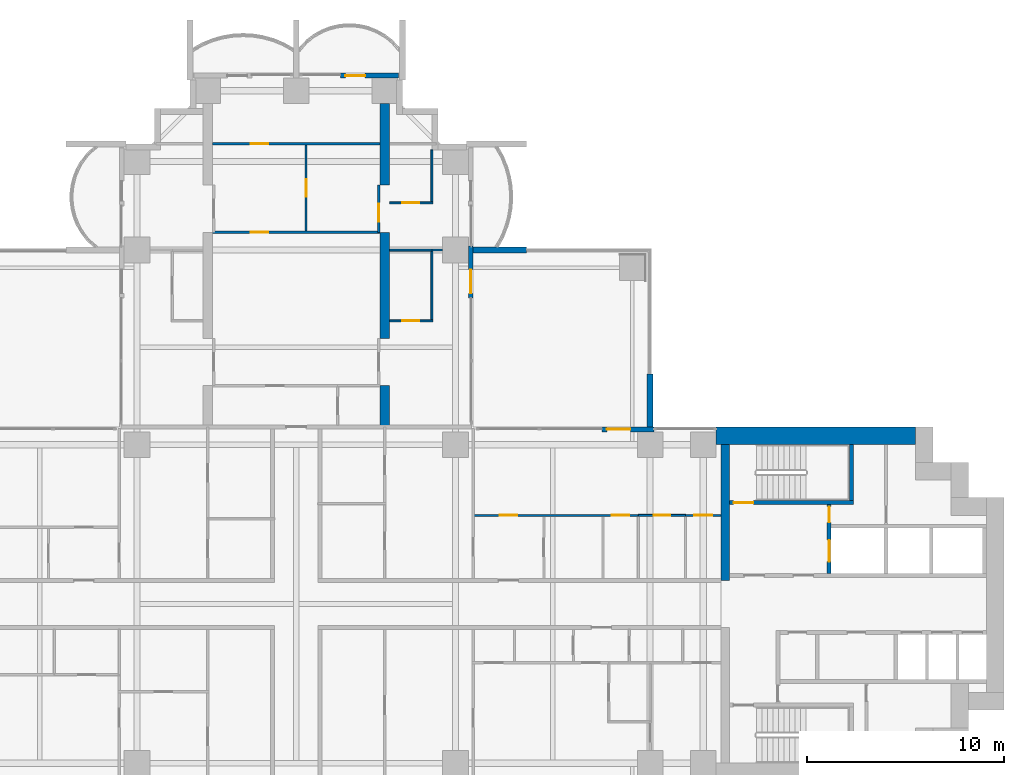
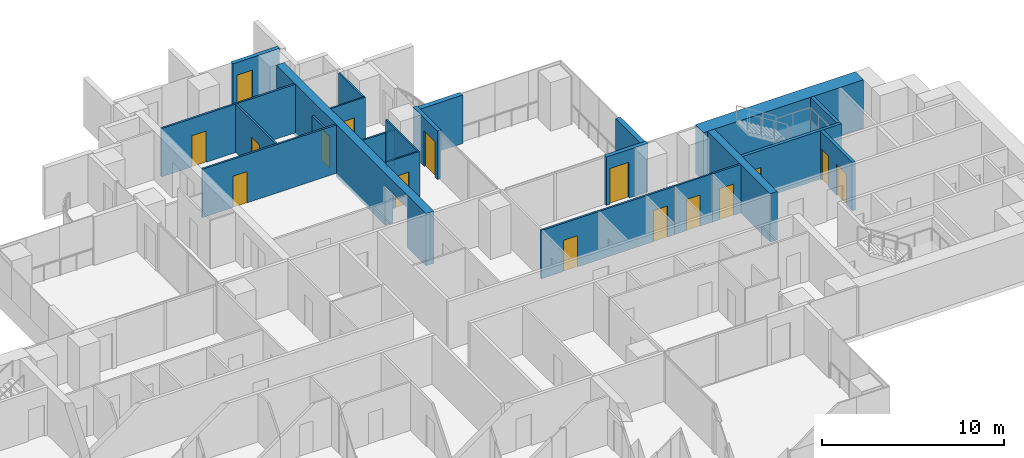
# One storey, part 15 of 21: 24 walls, 16 doors, 16 openings.
"""IFC4 building model written with IfcOpenShell, lengths in metres."""

from ifc_helpers import new_model, si_unit, direction, frame, frame_2d, origin, place, context, subcontext, project, spatial, polyline, rectangle, outline, extrude, material, layer, layer_set, material_profile, profile_set, type_object, element, fill, save


model = new_model("IFC4")

# Units and contexts
model_context = context("Model", 3, precision=1e-05, world=origin(), true_north=direction((0.0, 1.0)))
body_context = subcontext(model_context, "Body", "Model", "MODEL_VIEW")
ifc_project = project(units=[si_unit("LENGTHUNIT", "METRE"), si_unit("AREAUNIT", "SQUARE_METRE"), si_unit("VOLUMEUNIT", "CUBIC_METRE"), si_unit("PLANEANGLEUNIT", "RADIAN"), si_unit("MASSUNIT", "GRAM", prefix="KILO")], contexts=[model_context])

# Site, building, storey
site_placement = place(None, origin())
site = spatial("IfcSite", under=ifc_project, at=site_placement, CompositionType="ELEMENT")
building_placement = place(site_placement, origin())
building = spatial("IfcBuilding", under=site, at=building_placement, Name="Perihelion Cross Residences", CompositionType="ELEMENT")
storey_placement = place(building_placement, frame((0.0, 0.0, 64.5)))
storey = spatial("IfcBuildingStorey", under=building, at=storey_placement, Name="L13", CompositionType="ELEMENT", Elevation=64.5)

# Wall, opening, door
ifc_material_1 = material(Name="Concrete C30/37, bronze-clad", Category="concrete")
ifc_layer_1 = layer(ifc_material_1, 0.25)
ifc_layer_set_1 = layer_set([ifc_layer_1], Name="Bronze-clad pier wall 250")
wall_type_1 = type_object("IfcWallType", Name="Bronze-clad pier wall 250", PredefinedType="SOLIDWALL", material=ifc_layer_set_1)
wall_1_placement = place(storey_placement, frame((18.199951171875, 8.875, 0.0), z_axis=(0.0, 0.0, 1.0), x_axis=(-1.0, 0.0, 0.0)))
wall_1 = element("IfcWall", 1, at=wall_1_placement, inside=storey, type_object=wall_type_1, Name="Wall FW1 L13 east side north bay 2 pier", PredefinedType="SOLIDWALL", context=body_context, shape_type="SweptSolid", body=[
    extrude(rectangle(XDim=2.64990234375, YDim=0.25, at=frame_2d((1.324951171875, 0.0))), origin(), (0.0, 0.0, 1.0), 3.25),
])
opening_1_placement = place(wall_1_placement, frame((1.199951171875, 0.0, 0.0)))
opening_1 = element("IfcOpeningElement", 2, at=opening_1_placement, cuts=wall_1, Name="Opening L13.E01", PredefinedType="OPENING", context=body_context, shape_type="SweptSolid", body=[
    extrude(rectangle(XDim=1.199951171875, YDim=2.39990234375, at=frame_2d((0.60009765625, 1.199951171875))), frame((0.0, 0.135009765625, 0.0), z_axis=(0.0, -1.0, 0.0), x_axis=(1.0, 0.0, 0.0)), (0.0, 0.0, 1.0), 0.27001953125),
])
ifc_material_2 = material(Name="Bronze anodised aluminium, glazed", Category="aluminium")
door_type_1 = type_object("IfcDoorType", Name="Balcony door 1200 x 2400", OperationType="NOTDEFINED", PredefinedType="DOOR", material=ifc_material_2)
door_1_placement = place(opening_1_placement, origin())
door_1 = element("IfcDoor", 3, at=door_1_placement, inside=storey, type_object=door_type_1, Name="Door L13.E01 east side north bay 2", OperationType="SINGLE_SWING_RIGHT", OverallHeight=2.39990234375, OverallWidth=1.199951171875, PredefinedType="DOOR", context=body_context, shape_type="SweptSolid", body=[
    extrude(rectangle(XDim=1.199951171875, YDim=2.39990234375, at=frame_2d((0.60009765625, 1.199951171875))), frame((0.0, 0.02490234375, 0.0), z_axis=(0.0, -1.0, 0.0), x_axis=(1.0, 0.0, 0.0)), (0.0, 0.0, 1.0), 0.050048828125),
])
fill(opening_1, door_1)

wall_2_placement = place(storey_placement, frame((8.875, 15.550048828125, 0.0), z_axis=(0.0, 0.0, 1.0), x_axis=(0.0, 1.0, 0.0)))
wall_2 = element("IfcWall", 4, at=wall_2_placement, inside=storey, type_object=wall_type_1, Name="Wall FW1 L13 north side east bay 1 pier", PredefinedType="SOLIDWALL", context=body_context, shape_type="SweptSolid", body=[
    extrude(rectangle(XDim=2.64990234375, YDim=0.25, at=frame_2d((1.324951171875, 0.0))), origin(), (0.0, 0.0, 1.0), 3.25),
])
opening_2_placement = place(wall_2_placement, frame((0.25, 0.0, 0.0)))
opening_2 = element("IfcOpeningElement", 5, at=opening_2_placement, cuts=wall_2, Name="Opening L13.E02", PredefinedType="OPENING", context=body_context, shape_type="SweptSolid", body=[
    extrude(rectangle(XDim=1.199951171875, YDim=2.39990234375, at=frame_2d((0.60009765625, 1.199951171875))), frame((0.0, 0.135009765625, 0.0), z_axis=(0.0, -1.0, 0.0), x_axis=(1.0, 0.0, 0.0)), (0.0, 0.0, 1.0), 0.27001953125),
])
door_2_placement = place(opening_2_placement, origin())
door_2 = element("IfcDoor", 6, at=door_2_placement, inside=storey, type_object=door_type_1, Name="Door L13.E02 north side east bay 1", OperationType="SINGLE_SWING_LEFT", OverallHeight=2.39990234375, OverallWidth=1.199951171875, PredefinedType="DOOR", context=body_context, shape_type="SweptSolid", body=[
    extrude(rectangle(XDim=1.199951171875, YDim=2.39990234375, at=frame_2d((0.60009765625, 1.199951171875))), frame((0.0, 0.02490234375, 0.0), z_axis=(0.0, -1.0, 0.0), x_axis=(1.0, 0.0, 0.0)), (0.0, 0.0, 1.0), 0.050048828125),
])
fill(opening_2, door_2)

wall_3_placement = place(storey_placement, frame((5.199951171875, 26.875, 0.0), z_axis=(0.0, 0.0, 1.0), x_axis=(-1.0, 0.0, 0.0)))
wall_3 = element("IfcWall", 7, at=wall_3_placement, inside=storey, type_object=wall_type_1, Name="Wall FW1 L13 north tip north bay 1 pier", PredefinedType="SOLIDWALL", context=body_context, shape_type="SweptSolid", body=[
    extrude(rectangle(XDim=2.949951171875, YDim=0.25, at=frame_2d((1.47509765625, 0.0))), origin(), (0.0, 0.0, 1.0), 3.25),
])
opening_3_placement = place(wall_3_placement, frame((1.699951171875, 0.0, 0.0)))
opening_3 = element("IfcOpeningElement", 8, at=opening_3_placement, cuts=wall_3, Name="Opening L13.E04", PredefinedType="OPENING", context=body_context, shape_type="SweptSolid", body=[
    extrude(rectangle(XDim=1.0, YDim=2.39990234375, at=frame_2d((0.5, 1.199951171875))), frame((0.0, 0.135009765625, 0.0), z_axis=(0.0, -1.0, 0.0), x_axis=(1.0, 0.0, 0.0)), (0.0, 0.0, 1.0), 0.27001953125),
])
ifc_material_3 = material(Name="Bronze anodised aluminium, glazed", Category="aluminium")
door_type_2 = type_object("IfcDoorType", Name="Balcony door 1000 x 2400", OperationType="NOTDEFINED", PredefinedType="DOOR", material=ifc_material_3)
door_3_placement = place(opening_3_placement, origin())
door_3 = element("IfcDoor", 9, at=door_3_placement, inside=storey, type_object=door_type_2, Name="Door L13.E04 north tip north bay 1", OperationType="SINGLE_SWING_LEFT", OverallHeight=2.39990234375, OverallWidth=1.0, PredefinedType="DOOR", context=body_context, shape_type="SweptSolid", body=[
    extrude(rectangle(XDim=1.0, YDim=2.39990234375, at=frame_2d((0.5, 1.199951171875))), frame((0.0, 0.02490234375, 0.0), z_axis=(0.0, -1.0, 0.0), x_axis=(1.0, 0.0, 0.0)), (0.0, 0.0, 1.0), 0.050048828125),
])
fill(opening_3, door_3)

# Walls
ifc_material_4 = material(Name="Concrete C60/75", Category="concrete")
ifc_layer_2 = layer(ifc_material_4, 0.449951171875)
ifc_layer_set_2 = layer_set([ifc_layer_2], Name="Core wall, inner 450")
wall_type_2 = type_object("IfcWallType", Name="Core wall, inner 450", PredefinedType="SHEAR", material=ifc_layer_set_2)
wall_4_placement = place(storey_placement, frame((21.824951171875, 1.199951171875, 0.0), z_axis=(0.0, 0.0, 1.0), x_axis=(0.0, 1.0, 0.0)))
element("IfcWall", 10, at=wall_4_placement, inside=storey, type_object=wall_type_2, Name="East core core wall, inner", PredefinedType="SHEAR", context=body_context, shape_type="SweptSolid", body=[
    extrude(rectangle(XDim=6.900146484375, YDim=0.449951171875, at=frame_2d((3.4501953125, 0.0))), origin(), (0.0, 0.0, 1.0), 3.25),
])
ifc_material_5 = material(Name="Concrete C60/75", Category="concrete")
ifc_layer_3 = layer(ifc_material_5, 0.89990234375)
ifc_layer_set_3 = layer_set([ifc_layer_3], Name="Core wall, outer 900")
wall_type_3 = type_object("IfcWallType", Name="Core wall, outer 900", PredefinedType="SHEAR", material=ifc_layer_set_3)
wall_5_placement = place(storey_placement, frame((21.35009765625, 8.550048828125, 0.0), z_axis=(0.0, 0.0, 1.0), x_axis=(1.0, 0.0, 0.0)))
element("IfcWall", 11, at=wall_5_placement, inside=storey, type_object=wall_type_3, Name="East core core wall, outer", PredefinedType="SHEAR", context=body_context, shape_type="SweptSolid", body=[
    extrude(rectangle(XDim=10.14990234375, YDim=0.89990234375, at=frame_2d((5.074951171875, 0.0))), origin(), (0.0, 0.0, 1.0), 3.25),
])

# Wall, opening, door
ifc_material_6 = material(Name="Plasterboard partition")
ifc_layer_4 = layer(ifc_material_6, 0.1201171875)
ifc_layer_set_4 = layer_set([ifc_layer_4], Name="Infill panel 120")
wall_type_4 = type_object("IfcWallType", Name="Infill panel 120", PredefinedType="PARTITIONING", material=ifc_layer_set_4)
wall_6_placement = place(storey_placement, frame((4.18994140625, 18.89990234375, 0.0), z_axis=(0.0, 0.0, 1.0), x_axis=(0.0, 1.0, 0.0)))
wall_6 = element("IfcWall", 12, at=wall_6_placement, inside=storey, type_object=wall_type_4, Name="Partition L13 WI02", PredefinedType="PARTITIONING", context=body_context, shape_type="SweptSolid", body=[
    extrude(rectangle(XDim=2.400146484375, YDim=0.1201171875, at=frame_2d((1.2001953125, 0.0))), origin(), (0.0, 0.0, 1.0), 2.39990234375),
])
opening_4_placement = place(wall_6_placement, frame((0.550048828125, 0.0, 0.0)))
opening_4 = element("IfcOpeningElement", 13, at=opening_4_placement, cuts=wall_6, Name="Opening L13.A58", PredefinedType="OPENING", context=body_context, shape_type="SweptSolid", body=[
    extrude(rectangle(XDim=0.89990234375, YDim=2.10009765625, at=frame_2d((0.449951171875, 1.050048828125))), frame((0.0, 0.070068359375, 0.0), z_axis=(0.0, -1.0, 0.0), x_axis=(1.0, 0.0, 0.0)), (0.0, 0.0, 1.0), 0.14013671875),
])
ifc_material_7 = material(Name="Timber door leaf", Category="wood")
door_type_3 = type_object("IfcDoorType", Name="Interior room door 900 x 2100", OperationType="SINGLE_SWING_LEFT", PredefinedType="DOOR", material=ifc_material_7)
door_4_placement = place(opening_4_placement, origin())
door_4 = element("IfcDoor", 14, at=door_4_placement, inside=storey, type_object=door_type_3, Name="Door L13.A58", OperationType="SINGLE_SWING_RIGHT", OverallHeight=2.10009765625, OverallWidth=0.89990234375, PredefinedType="DOOR", context=body_context, shape_type="SweptSolid", body=[
    extrude(rectangle(XDim=0.89990234375, YDim=2.10009765625, at=frame_2d((0.449951171875, 1.050048828125))), frame((0.0, 0.02490234375, 0.0), z_axis=(0.0, -1.0, 0.0), x_axis=(1.0, 0.0, 0.0)), (0.0, 0.0, 1.0), 0.050048828125),
])
fill(opening_4, door_4)

# Wall, openings, doors
ifc_material_8 = material(Name="Plasterboard partition")
ifc_layer_5 = layer(ifc_material_8, 0.1201171875)
ifc_layer_set_5 = layer_set([ifc_layer_5], Name="Partition wall 120")
wall_type_5 = type_object("IfcWallType", Name="Partition wall 120", PredefinedType="PARTITIONING", material=ifc_layer_set_5)
wall_7_placement = place(storey_placement, frame((8.93994140625, 4.5, 0.0), z_axis=(0.0, 0.0, 1.0), x_axis=(1.0, 0.0, 0.0)))
wall_7 = element("IfcWall", 15, at=wall_7_placement, inside=storey, type_object=wall_type_5, Name="Partition L13 W012", PredefinedType="PARTITIONING", context=body_context, shape_type="SweptSolid", body=[
    extrude(rectangle(XDim=8.4599609375, YDim=0.1201171875, at=frame_2d((4.22998046875, 0.0))), origin(), (0.0, 0.0, 1.0), 3.25),
])
opening_5_placement = place(wall_7_placement, frame((7.110107421875, 0.0, 0.0)))
opening_5 = element("IfcOpeningElement", 16, at=opening_5_placement, cuts=wall_7, Name="Opening L13.A06", PredefinedType="OPENING", context=body_context, shape_type="SweptSolid", body=[
    extrude(rectangle(XDim=0.89990234375, YDim=2.10009765625, at=frame_2d((0.449951171875, 1.050048828125))), frame((0.0, 0.070068359375, 0.0), z_axis=(0.0, -1.0, 0.0), x_axis=(1.0, 0.0, 0.0)), (0.0, 0.0, 1.0), 0.14013671875),
])
opening_6_placement = place(wall_7_placement, frame((1.409912109375, 0.0, 0.0)))
opening_6 = element("IfcOpeningElement", 17, at=opening_6_placement, cuts=wall_7, Name="Opening L13.A08", PredefinedType="OPENING", context=body_context, shape_type="SweptSolid", body=[
    extrude(rectangle(XDim=0.89990234375, YDim=2.10009765625, at=frame_2d((0.449951171875, 1.050048828125))), frame((0.0, 0.070068359375, 0.0), z_axis=(0.0, -1.0, 0.0), x_axis=(1.0, 0.0, 0.0)), (0.0, 0.0, 1.0), 0.14013671875),
])
door_5_placement = place(opening_5_placement, origin())
door_5 = element("IfcDoor", 18, at=door_5_placement, inside=storey, type_object=door_type_3, Name="Door L13.A06", OperationType="SINGLE_SWING_RIGHT", OverallHeight=2.10009765625, OverallWidth=0.89990234375, PredefinedType="DOOR", context=body_context, shape_type="SweptSolid", body=[
    extrude(rectangle(XDim=0.89990234375, YDim=2.10009765625, at=frame_2d((0.449951171875, 1.050048828125))), frame((0.0, 0.02490234375, 0.0), z_axis=(0.0, -1.0, 0.0), x_axis=(1.0, 0.0, 0.0)), (0.0, 0.0, 1.0), 0.050048828125),
])
fill(opening_5, door_5)
door_6_placement = place(opening_6_placement, origin())
door_6 = element("IfcDoor", 19, at=door_6_placement, inside=storey, type_object=door_type_3, Name="Door L13.A08", OperationType="SINGLE_SWING_RIGHT", OverallHeight=2.10009765625, OverallWidth=0.89990234375, PredefinedType="DOOR", context=body_context, shape_type="SweptSolid", body=[
    extrude(rectangle(XDim=0.89990234375, YDim=2.10009765625, at=frame_2d((0.449951171875, 1.050048828125))), frame((0.0, 0.02490234375, 0.0), z_axis=(0.0, -1.0, 0.0), x_axis=(1.0, 0.0, 0.0)), (0.0, 0.0, 1.0), 0.050048828125),
])
fill(opening_6, door_6)

# Wall, opening, door
wall_8_placement = place(storey_placement, frame((19.800048828125, 4.5, 0.0), z_axis=(0.0, 0.0, 1.0), x_axis=(1.0, 0.0, 0.0)))
wall_8 = element("IfcWall", 20, at=wall_8_placement, inside=storey, type_object=wall_type_5, Name="Partition L13 W018", PredefinedType="PARTITIONING", context=body_context, shape_type="SweptSolid", body=[
    extrude(rectangle(XDim=1.800048828125, YDim=0.1201171875, at=frame_2d((0.89990234375, 0.0))), origin(), (0.0, 0.0, 1.0), 3.25),
])
opening_7_placement = place(wall_8_placement, frame((0.449951171875, 0.0, 0.0)))
opening_7 = element("IfcOpeningElement", 21, at=opening_7_placement, cuts=wall_8, Name="Opening L13.A02", PredefinedType="OPENING", context=body_context, shape_type="SweptSolid", body=[
    extrude(rectangle(XDim=0.89990234375, YDim=2.10009765625, at=frame_2d((0.449951171875, 1.050048828125))), frame((0.0, 0.070068359375, 0.0), z_axis=(0.0, -1.0, 0.0), x_axis=(1.0, 0.0, 0.0)), (0.0, 0.0, 1.0), 0.14013671875),
])
door_7_placement = place(opening_7_placement, origin())
door_7 = element("IfcDoor", 22, at=door_7_placement, inside=storey, type_object=door_type_3, Name="Door L13.A02", OperationType="SINGLE_SWING_RIGHT", OverallHeight=2.10009765625, OverallWidth=0.89990234375, PredefinedType="DOOR", context=body_context, shape_type="SweptSolid", body=[
    extrude(rectangle(XDim=0.89990234375, YDim=2.10009765625, at=frame_2d((0.449951171875, 1.050048828125))), frame((0.0, 0.02490234375, 0.0), z_axis=(0.0, -1.0, 0.0), x_axis=(1.0, 0.0, 0.0)), (0.0, 0.0, 1.0), 0.050048828125),
])
fill(opening_7, door_7)

wall_9_placement = place(storey_placement, frame((-4.25, 18.89990234375, 0.0), z_axis=(0.0, 0.0, 1.0), x_axis=(1.0, 0.0, 0.0)))
wall_9 = element("IfcWall", 23, at=wall_9_placement, inside=storey, type_object=wall_type_5, Name="Partition L13 W063", PredefinedType="PARTITIONING", context=body_context, shape_type="SweptSolid", body=[
    extrude(rectangle(XDim=8.5, YDim=0.1201171875, at=frame_2d((4.25, 0.0))), origin(), (0.0, 0.0, 1.0), 3.25),
])
opening_8_placement = place(wall_9_placement, frame((1.925048828125, 0.0, 0.0)))
opening_8 = element("IfcOpeningElement", 24, at=opening_8_placement, cuts=wall_9, Name="Opening L13.A39", PredefinedType="OPENING", context=body_context, shape_type="SweptSolid", body=[
    extrude(rectangle(XDim=0.89990234375, YDim=2.10009765625, at=frame_2d((0.449951171875, 1.050048828125))), frame((0.0, 0.070068359375, 0.0), z_axis=(0.0, -1.0, 0.0), x_axis=(1.0, 0.0, 0.0)), (0.0, 0.0, 1.0), 0.14013671875),
])
door_8_placement = place(opening_8_placement, origin())
door_8 = element("IfcDoor", 25, at=door_8_placement, inside=storey, type_object=door_type_3, Name="Door L13.A39", OperationType="SINGLE_SWING_RIGHT", OverallHeight=2.10009765625, OverallWidth=0.89990234375, PredefinedType="DOOR", context=body_context, shape_type="SweptSolid", body=[
    extrude(rectangle(XDim=0.89990234375, YDim=2.10009765625, at=frame_2d((0.449951171875, 1.050048828125))), frame((0.0, 0.02490234375, 0.0), z_axis=(0.0, -1.0, 0.0), x_axis=(1.0, 0.0, 0.0)), (0.0, 0.0, 1.0), 0.050048828125),
])
fill(opening_8, door_8)

wall_10_placement = place(storey_placement, frame((0.5, 23.340087890625, 0.0), z_axis=(0.0, 0.0, 1.0), x_axis=(0.0, -1.0, 0.0)))
wall_10 = element("IfcWall", 26, at=wall_10_placement, inside=storey, type_object=wall_type_5, Name="Partition L13 W064", PredefinedType="PARTITIONING", context=body_context, shape_type="SweptSolid", body=[
    extrude(rectangle(XDim=4.380126953125, YDim=0.1201171875, at=frame_2d((2.18994140625, 0.0))), origin(), (0.0, 0.0, 1.0), 3.25),
])
opening_9_placement = place(wall_10_placement, frame((1.739990234375, 0.0, 0.0)))
opening_9 = element("IfcOpeningElement", 27, at=opening_9_placement, cuts=wall_10, Name="Opening L13.A40", PredefinedType="OPENING", context=body_context, shape_type="SweptSolid", body=[
    extrude(rectangle(XDim=0.89990234375, YDim=2.10009765625, at=frame_2d((0.449951171875, 1.050048828125))), frame((0.0, 0.070068359375, 0.0), z_axis=(0.0, -1.0, 0.0), x_axis=(1.0, 0.0, 0.0)), (0.0, 0.0, 1.0), 0.14013671875),
])
door_9_placement = place(opening_9_placement, origin())
door_9 = element("IfcDoor", 28, at=door_9_placement, inside=storey, type_object=door_type_3, Name="Door L13.A40", OperationType="SINGLE_SWING_LEFT", OverallHeight=2.10009765625, OverallWidth=0.89990234375, PredefinedType="DOOR", context=body_context, shape_type="SweptSolid", body=[
    extrude(rectangle(XDim=0.89990234375, YDim=2.10009765625, at=frame_2d((0.449951171875, 1.050048828125))), frame((0.0, 0.02490234375, 0.0), z_axis=(0.0, -1.0, 0.0), x_axis=(1.0, 0.0, 0.0)), (0.0, 0.0, 1.0), 0.050048828125),
])
fill(opening_9, door_9)

wall_11_placement = place(storey_placement, frame((-4.25, 23.39990234375, 0.0), z_axis=(0.0, 0.0, 1.0), x_axis=(1.0, 0.0, 0.0)))
wall_11 = element("IfcWall", 29, at=wall_11_placement, inside=storey, type_object=wall_type_5, Name="Partition L13 W065", PredefinedType="PARTITIONING", context=body_context, shape_type="SweptSolid", body=[
    extrude(rectangle(XDim=8.5, YDim=0.1201171875, at=frame_2d((4.25, 0.0))), origin(), (0.0, 0.0, 1.0), 3.25),
])
opening_10_placement = place(wall_11_placement, frame((1.925048828125, 0.0, 0.0)))
opening_10 = element("IfcOpeningElement", 30, at=opening_10_placement, cuts=wall_11, Name="Opening L13.A41", PredefinedType="OPENING", context=body_context, shape_type="SweptSolid", body=[
    extrude(rectangle(XDim=0.89990234375, YDim=2.10009765625, at=frame_2d((0.449951171875, 1.050048828125))), frame((0.0, 0.070068359375, 0.0), z_axis=(0.0, -1.0, 0.0), x_axis=(1.0, 0.0, 0.0)), (0.0, 0.0, 1.0), 0.14013671875),
])
door_10_placement = place(opening_10_placement, origin())
door_10 = element("IfcDoor", 31, at=door_10_placement, inside=storey, type_object=door_type_3, Name="Door L13.A41", OperationType="SINGLE_SWING_LEFT", OverallHeight=2.10009765625, OverallWidth=0.89990234375, PredefinedType="DOOR", context=body_context, shape_type="SweptSolid", body=[
    extrude(rectangle(XDim=0.89990234375, YDim=2.10009765625, at=frame_2d((0.449951171875, 1.050048828125))), frame((0.0, 0.02490234375, 0.0), z_axis=(0.0, -1.0, 0.0), x_axis=(1.0, 0.0, 0.0)), (0.0, 0.0, 1.0), 0.050048828125),
])
fill(opening_10, door_10)

# Walls
wall_12_placement = place(storey_placement, frame((6.89990234375, 18.0, 0.0), z_axis=(0.0, 0.0, 1.0), x_axis=(1.0, 0.0, 0.0)))
element("IfcWall", 32, at=wall_12_placement, inside=storey, type_object=wall_type_5, Name="Partition L13 W068", PredefinedType="PARTITIONING", context=body_context, shape_type="SweptSolid", body=[
    extrude(rectangle(XDim=0.550048828125, YDim=0.1201171875, at=frame_2d((0.27490234375, 0.0))), origin(), (0.0, 0.0, 1.0), 2.345947265625),
])
ifc_material_9 = material(Name="Precast concrete C50/60", Category="concrete")
ifc_layer_6 = layer(ifc_material_9, 0.300048828125)
ifc_layer_set_6 = layer_set([ifc_layer_6], Name="Precast concrete C50/60 blade wall 300")
wall_type_6 = type_object("IfcWallType", Name="Precast concrete C50/60 blade wall 300", PredefinedType="SOLIDWALL", material=ifc_layer_set_6)
for number, where, z_axis, x_axis, name in (
    (33, (8.75, 18.0, 0.0), (0.0, 0.0, 1.0), (1.0, 0.0, 0.0), "Wall BL1 L13 no. 17"),
    (34, (18.0, 8.75, 0.0), (0.0, 0.0, 1.0), (0.0, 1.0, 0.0), "Wall BL1 L13 no. 12"),
):
    element("IfcWall", number, at=place(storey_placement, frame(where, z_axis=z_axis, x_axis=x_axis)), inside=storey, type_object=wall_type_6, Name=name, PredefinedType="SOLIDWALL", context=body_context, shape_type="SweptSolid", body=[
        extrude(rectangle(XDim=2.949951171875, YDim=0.300048828125, at=frame_2d((1.47509765625, 0.0))), origin(), (0.0, 0.0, 1.0), 3.25),
    ])

# Wall, openings, doors
ifc_material_10 = material(Name="Concrete C50/60", Category="concrete")
ifc_layer_7 = layer(ifc_material_10, 0.199951171875)
ifc_layer_set_7 = layer_set([ifc_layer_7], Name="Shaft wall 200")
wall_type_7 = type_object("IfcWallType", Name="Shaft wall 200", PredefinedType="SOLIDWALL", material=ifc_layer_set_7)
wall_13_placement = place(storey_placement, frame((27.10009765625, 1.550048828125, 0.0), z_axis=(0.0, 0.0, 1.0), x_axis=(0.0, 1.0, 0.0)))
wall_13 = element("IfcWall", 35, at=wall_13_placement, inside=storey, type_object=wall_type_7, Name="East core shaft wall", PredefinedType="SOLIDWALL", context=body_context, shape_type="SweptSolid", body=[
    extrude(rectangle(XDim=3.5, YDim=0.199951171875, at=frame_2d((1.75, 0.0))), origin(), (0.0, 0.0, 1.0), 3.25),
])
opening_11_placement = place(wall_13_placement, frame((0.60009765625, 0.0, 0.0)))
opening_11 = element("IfcOpeningElement", 36, at=opening_11_placement, cuts=wall_13, Name="Opening L13.C01", PredefinedType="OPENING", context=body_context, shape_type="SweptSolid", body=[
    extrude(rectangle(XDim=1.10009765625, YDim=2.10009765625, at=frame_2d((0.550048828125, 1.050048828125))), frame((0.0, 0.10986328125, 0.0), z_axis=(0.0, -1.0, 0.0), x_axis=(1.0, 0.0, 0.0)), (0.0, 0.0, 1.0), 0.219970703125),
])
opening_12_placement = place(wall_13_placement, frame((2.60009765625, 0.0, 0.0)))
opening_12 = element("IfcOpeningElement", 37, at=opening_12_placement, cuts=wall_13, Name="Opening L13.C11", PredefinedType="OPENING", context=body_context, shape_type="SweptSolid", body=[
    extrude(rectangle(XDim=0.800048828125, YDim=2.10009765625, at=frame_2d((0.39990234375, 1.050048828125))), frame((0.0, 0.10986328125, 0.0), z_axis=(0.0, -1.0, 0.0), x_axis=(1.0, 0.0, 0.0)), (0.0, 0.0, 1.0), 0.219970703125),
])
ifc_material_11 = material(Name="Stainless steel", Category="steel")
door_type_4 = type_object("IfcDoorType", Name="Landing door, firefighting lift 1100", OperationType="DOUBLE_DOOR_SLIDING", PredefinedType="DOOR", material=ifc_material_11)
door_11_placement = place(opening_11_placement, origin())
door_11 = element("IfcDoor", 38, at=door_11_placement, inside=storey, type_object=door_type_4, Name="Landing door, East core firefighting and service lift", OperationType="DOUBLE_DOOR_SLIDING", OverallHeight=2.10009765625, OverallWidth=1.10009765625, PredefinedType="DOOR", context=body_context, shape_type="SweptSolid", body=[
    extrude(rectangle(XDim=1.10009765625, YDim=2.10009765625, at=frame_2d((0.550048828125, 1.050048828125))), frame((0.0, 0.02490234375, 0.0), z_axis=(0.0, -1.0, 0.0), x_axis=(1.0, 0.0, 0.0)), (0.0, 0.0, 1.0), 0.050048828125),
])
fill(opening_11, door_11)
ifc_material_12 = material(Name="Steel, powder coated", Category="steel")
door_type_5 = type_object("IfcDoorType", Name="Riser door 800", OperationType="SINGLE_SWING_LEFT", PredefinedType="DOOR", material=ifc_material_12)
door_12_placement = place(opening_12_placement, origin())
door_12 = element("IfcDoor", 39, at=door_12_placement, inside=storey, type_object=door_type_5, Name="East core riser door", OperationType="SINGLE_SWING_LEFT", OverallHeight=2.10009765625, OverallWidth=0.800048828125, PredefinedType="DOOR", context=body_context, shape_type="SweptSolid", body=[
    extrude(rectangle(XDim=0.800048828125, YDim=2.10009765625, at=frame_2d((0.39990234375, 1.050048828125))), frame((0.0, 0.02490234375, 0.0), z_axis=(0.0, -1.0, 0.0), x_axis=(1.0, 0.0, 0.0)), (0.0, 0.0, 1.0), 0.050048828125),
])
fill(opening_12, door_12)

# Wall, opening, door
ifc_material_13 = material(Name="Concrete C50/60", Category="concrete")
ifc_layer_8 = layer(ifc_material_13, 0.199951171875)
ifc_layer_set_8 = layer_set([ifc_layer_8], Name="Stair wall 200")
wall_type_8 = type_object("IfcWallType", Name="Stair wall 200", PredefinedType="SOLIDWALL", material=ifc_layer_set_8)
wall_14_placement = place(storey_placement, frame((22.050048828125, 5.14990234375, 0.0), z_axis=(0.0, 0.0, 1.0), x_axis=(1.0, 0.0, 0.0)))
wall_14 = element("IfcWall", 40, at=wall_14_placement, inside=storey, type_object=wall_type_8, Name="East core stair wall", PredefinedType="SOLIDWALL", context=body_context, shape_type="SweptSolid", body=[
    extrude(rectangle(XDim=6.300048828125, YDim=0.199951171875, at=frame_2d((3.14990234375, 0.0))), origin(), (0.0, 0.0, 1.0), 3.25),
])
opening_13_placement = place(wall_14_placement, frame((0.199951171875, 0.0, 0.0)))
opening_13 = element("IfcOpeningElement", 41, at=opening_13_placement, cuts=wall_14, Name="Opening L13.C06", PredefinedType="OPENING", context=body_context, shape_type="SweptSolid", body=[
    extrude(rectangle(XDim=1.0, YDim=2.10009765625, at=frame_2d((0.5, 1.050048828125))), frame((0.0, 0.10986328125, 0.0), z_axis=(0.0, -1.0, 0.0), x_axis=(1.0, 0.0, 0.0)), (0.0, 0.0, 1.0), 0.219970703125),
])
ifc_material_14 = material(Name="Steel, powder coated", Category="steel")
door_type_6 = type_object("IfcDoorType", Name="Stair door 1000", OperationType="SINGLE_SWING_LEFT", PredefinedType="DOOR", material=ifc_material_14)
door_13_placement = place(opening_13_placement, origin())
door_13 = element("IfcDoor", 42, at=door_13_placement, inside=storey, type_object=door_type_6, Name="East core stair door", OperationType="SINGLE_SWING_LEFT", OverallHeight=2.10009765625, OverallWidth=1.0, PredefinedType="DOOR", context=body_context, shape_type="SweptSolid", body=[
    extrude(rectangle(XDim=1.0, YDim=2.10009765625, at=frame_2d((0.5, 1.050048828125))), frame((0.0, 0.02490234375, 0.0), z_axis=(0.0, -1.0, 0.0), x_axis=(1.0, 0.0, 0.0)), (0.0, 0.0, 1.0), 0.050048828125),
])
fill(opening_13, door_13)

# Walls
wall_15_placement = place(storey_placement, frame((28.25, 5.25, 0.0), z_axis=(0.0, 0.0, 1.0), x_axis=(0.0, 1.0, 0.0)))
element("IfcWall", 43, at=wall_15_placement, inside=storey, type_object=wall_type_8, Name="East core stair wall", PredefinedType="SOLIDWALL", context=body_context, shape_type="SweptSolid", body=[
    extrude(rectangle(XDim=2.85009765625, YDim=0.199951171875, at=frame_2d((1.425048828125, 0.0))), origin(), (0.0, 0.0, 1.0), 3.25),
])
ifc_material_15 = material(Name="Concrete C60/75", Category="concrete")
ifc_material_profile = material_profile(ifc_material_15, outline(polyline([(0.0, 0.0), (2.10009765625, 0.0), (2.10009765625, 2.64990234375), (4.5, 2.64990234375), (4.5, 0.0), (9.89990234375, 0.0), (9.89990234375, 2.64990234375), (12.300048828125, 2.64990234375), (12.300048828125, 0.0), (16.449951171875, 0.0), (16.449951171875, 3.5), (0.0, 3.5), (0.0, 0.0)])), Name="Tip spine wall")
ifc_profile_set = profile_set([ifc_material_profile], Name="Concrete C60/75")
wall_type_9 = type_object("IfcWallType", Name="Tip spine wall 500 with 2 door openings 16450 long 3500 high concrete C60/75 hand B", PredefinedType="SHEAR", material=ifc_profile_set)
wall_16_placement = place(storey_placement, frame((4.25, 9.0, -0.25), z_axis=(1.0, 0.0, 0.0), x_axis=(0.0, 1.0, 0.0)))
element("IfcWall", 44, at=wall_16_placement, inside=storey, type_object=wall_type_9, Name="Shear wall SW23 L13 north east", PredefinedType="SHEAR", context=body_context, shape_type="SweptSolid", body=[
    extrude(outline(polyline([(0.0, 0.0), (2.10009765625, 0.0), (2.10009765625, 2.64990234375), (4.5, 2.64990234375), (4.5, 0.0), (9.89990234375, 0.0), (9.89990234375, 2.64990234375), (12.300048828125, 2.64990234375), (12.300048828125, 0.0), (16.449951171875, 0.0), (16.449951171875, 3.5), (0.0, 3.5), (0.0, 0.0)])), origin(), (0.0, 0.0, 1.0), 0.5),
])

# Wall, opening, door
ifc_material_16 = material(Name="Plasterboard partition")
ifc_layer_9 = layer(ifc_material_16, 0.10009765625)
ifc_layer_set_9 = layer_set([ifc_layer_9], Name="Wet room wall 100")
wall_type_10 = type_object("IfcWallType", Name="Wet room wall 100", PredefinedType="PARTITIONING", material=ifc_layer_set_9)
wall_17_placement = place(storey_placement, frame((17.39990234375, 4.5, 0.0), z_axis=(0.0, 0.0, 1.0), x_axis=(1.0, 0.0, 0.0)))
wall_17 = element("IfcWall", 45, at=wall_17_placement, inside=storey, type_object=wall_type_10, Name="Partition L13 W017", PredefinedType="PARTITIONING", context=body_context, shape_type="SweptSolid", body=[
    extrude(rectangle(XDim=2.400146484375, YDim=0.10009765625, at=frame_2d((1.2001953125, 0.0))), origin(), (0.0, 0.0, 1.0), 3.25),
])
opening_14_placement = place(wall_17_placement, frame((0.77490234375, 0.0, 0.0)))
opening_14 = element("IfcOpeningElement", 46, at=opening_14_placement, cuts=wall_17, Name="Opening L13.A01", PredefinedType="OPENING", context=body_context, shape_type="SweptSolid", body=[
    extrude(rectangle(XDim=0.85009765625, YDim=2.10009765625, at=frame_2d((0.425048828125, 1.050048828125))), frame((0.0, 0.06005859375, 0.0), z_axis=(0.0, -1.0, 0.0), x_axis=(1.0, 0.0, 0.0)), (0.0, 0.0, 1.0), 0.1201171875),
])
ifc_material_17 = material(Name="Timber door leaf", Category="wood")
door_type_7 = type_object("IfcDoorType", Name="Interior bathroom door 850 x 2100", OperationType="SINGLE_SWING_LEFT", PredefinedType="DOOR", material=ifc_material_17)
door_14_placement = place(opening_14_placement, origin())
door_14 = element("IfcDoor", 47, at=door_14_placement, inside=storey, type_object=door_type_7, Name="Door L13.A01", OperationType="SINGLE_SWING_RIGHT", OverallHeight=2.10009765625, OverallWidth=0.85009765625, PredefinedType="DOOR", context=body_context, shape_type="SweptSolid", body=[
    extrude(rectangle(XDim=0.85009765625, YDim=2.10009765625, at=frame_2d((0.425048828125, 1.050048828125))), frame((0.0, 0.02490234375, 0.0), z_axis=(0.0, -1.0, 0.0), x_axis=(1.0, 0.0, 0.0)), (0.0, 0.0, 1.0), 0.050048828125),
])
fill(opening_14, door_14)

wall_18_placement = place(storey_placement, frame((4.75, 14.39990234375, 0.0), z_axis=(0.0, 0.0, 1.0), x_axis=(1.0, 0.0, 0.0)))
wall_18 = element("IfcWall", 48, at=wall_18_placement, inside=storey, type_object=wall_type_10, Name="Partition L13 W066", PredefinedType="PARTITIONING", context=body_context, shape_type="SweptSolid", body=[
    extrude(rectangle(XDim=2.199951171875, YDim=0.10009765625, at=frame_2d((1.10009765625, 0.0))), origin(), (0.0, 0.0, 1.0), 3.25),
])
opening_15_placement = place(wall_18_placement, frame((0.64990234375, 0.0, 0.0)))
opening_15 = element("IfcOpeningElement", 49, at=opening_15_placement, cuts=wall_18, Name="Opening L13.A42", PredefinedType="OPENING", context=body_context, shape_type="SweptSolid", body=[
    extrude(rectangle(XDim=0.85009765625, YDim=2.10009765625, at=frame_2d((0.425048828125, 1.050048828125))), frame((0.0, 0.06005859375, 0.0), z_axis=(0.0, -1.0, 0.0), x_axis=(1.0, 0.0, 0.0)), (0.0, 0.0, 1.0), 0.1201171875),
])
door_15_placement = place(opening_15_placement, origin())
door_15 = element("IfcDoor", 50, at=door_15_placement, inside=storey, type_object=door_type_7, Name="Door L13.A42", OperationType="SINGLE_SWING_RIGHT", OverallHeight=2.10009765625, OverallWidth=0.85009765625, PredefinedType="DOOR", context=body_context, shape_type="SweptSolid", body=[
    extrude(rectangle(XDim=0.85009765625, YDim=2.10009765625, at=frame_2d((0.425048828125, 1.050048828125))), frame((0.0, 0.02490234375, 0.0), z_axis=(0.0, -1.0, 0.0), x_axis=(1.0, 0.0, 0.0)), (0.0, 0.0, 1.0), 0.050048828125),
])
fill(opening_15, door_15)

# Walls
wall_19_placement = place(storey_placement, frame((6.89990234375, 14.449951171875, 0.0), z_axis=(0.0, 0.0, 1.0), x_axis=(0.0, 1.0, 0.0)))
element("IfcWall", 51, at=wall_19_placement, inside=storey, type_object=wall_type_10, Name="Partition L13 W067", PredefinedType="PARTITIONING", context=body_context, shape_type="SweptSolid", body=[
    extrude(rectangle(XDim=3.489990234375, YDim=0.10009765625, at=frame_2d((1.7451171875, 0.0))), origin(), (0.0, 0.0, 1.0), 3.25),
])
wall_20_placement = place(storey_placement, frame((4.75, 18.0, 0.0), z_axis=(0.0, 0.0, 1.0), x_axis=(1.0, 0.0, 0.0)))
element("IfcWall", 52, at=wall_20_placement, inside=storey, type_object=wall_type_10, Name="Partition L13 W069", PredefinedType="PARTITIONING", context=body_context, shape_type="SweptSolid", body=[
    extrude(rectangle(XDim=2.14990234375, YDim=0.10009765625, at=frame_2d((1.074951171875, 0.0))), origin(), (0.0, 0.0, 1.0), 2.345947265625),
])

# Wall, opening, door
wall_21_placement = place(storey_placement, frame((4.75, 20.39990234375, 0.0), z_axis=(0.0, 0.0, 1.0), x_axis=(1.0, 0.0, 0.0)))
wall_21 = element("IfcWall", 53, at=wall_21_placement, inside=storey, type_object=wall_type_10, Name="Partition L13 W070", PredefinedType="PARTITIONING", context=body_context, shape_type="SweptSolid", body=[
    extrude(rectangle(XDim=2.199951171875, YDim=0.10009765625, at=frame_2d((1.10009765625, 0.0))), origin(), (0.0, 0.0, 1.0), 3.25),
])
opening_16_placement = place(wall_21_placement, frame((0.64990234375, 0.0, 0.0)))
opening_16 = element("IfcOpeningElement", 54, at=opening_16_placement, cuts=wall_21, Name="Opening L13.A43", PredefinedType="OPENING", context=body_context, shape_type="SweptSolid", body=[
    extrude(rectangle(XDim=0.85009765625, YDim=2.10009765625, at=frame_2d((0.425048828125, 1.050048828125))), frame((0.0, 0.06005859375, 0.0), z_axis=(0.0, -1.0, 0.0), x_axis=(1.0, 0.0, 0.0)), (0.0, 0.0, 1.0), 0.1201171875),
])
door_16_placement = place(opening_16_placement, origin())
door_16 = element("IfcDoor", 55, at=door_16_placement, inside=storey, type_object=door_type_7, Name="Door L13.A43", OperationType="SINGLE_SWING_LEFT", OverallHeight=2.10009765625, OverallWidth=0.85009765625, PredefinedType="DOOR", context=body_context, shape_type="SweptSolid", body=[
    extrude(rectangle(XDim=0.85009765625, YDim=2.10009765625, at=frame_2d((0.425048828125, 1.050048828125))), frame((0.0, 0.02490234375, 0.0), z_axis=(0.0, -1.0, 0.0), x_axis=(1.0, 0.0, 0.0)), (0.0, 0.0, 1.0), 0.050048828125),
])
fill(opening_16, door_16)

# Wall
wall_22_placement = place(storey_placement, frame((6.89990234375, 20.449951171875, 0.0), z_axis=(0.0, 0.0, 1.0), x_axis=(0.0, 1.0, 0.0)))
element("IfcWall", 56, at=wall_22_placement, inside=storey, type_object=wall_type_10, Name="Partition L13 W071", PredefinedType="PARTITIONING", context=body_context, shape_type="SweptSolid", body=[
    extrude(rectangle(XDim=2.650146484375, YDim=0.10009765625, at=frame_2d((1.3251953125, 0.0))), origin(), (0.0, 0.0, 1.0), 3.25),
])

save(model, "model.ifc")
